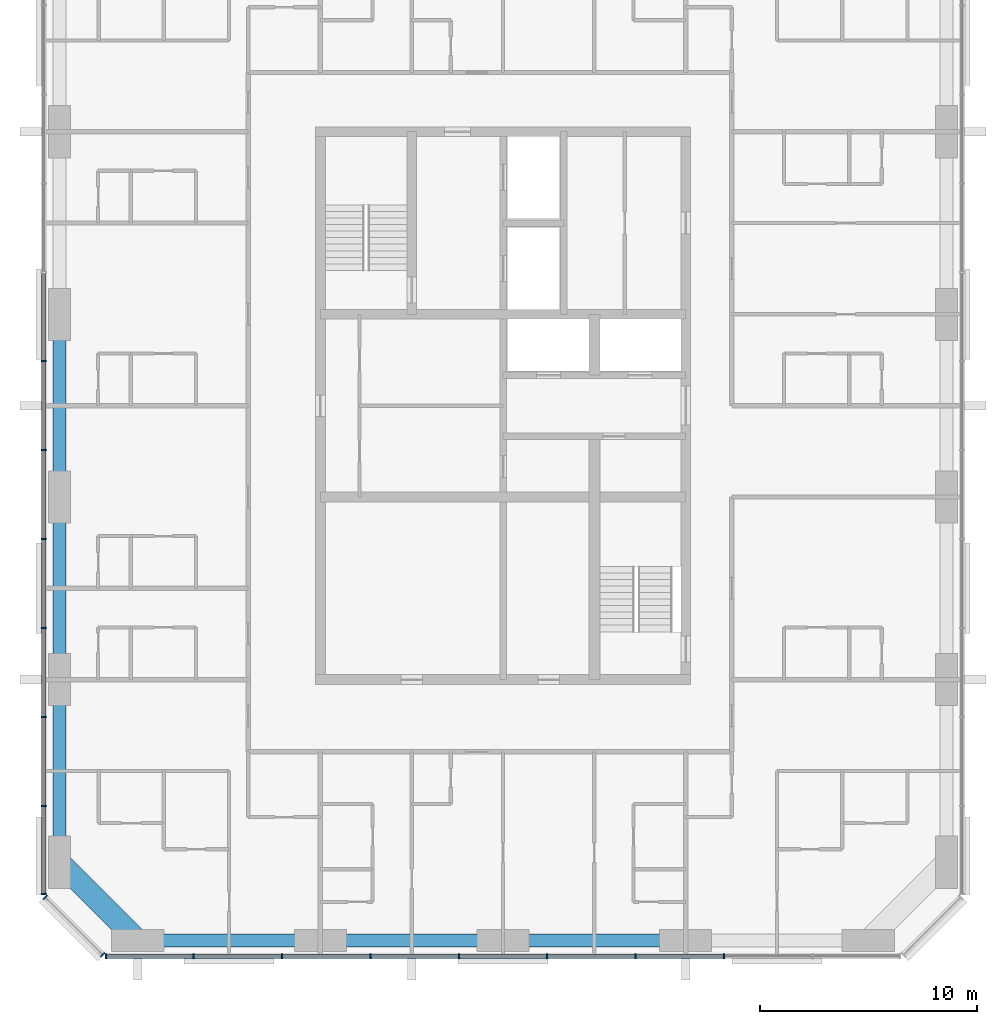
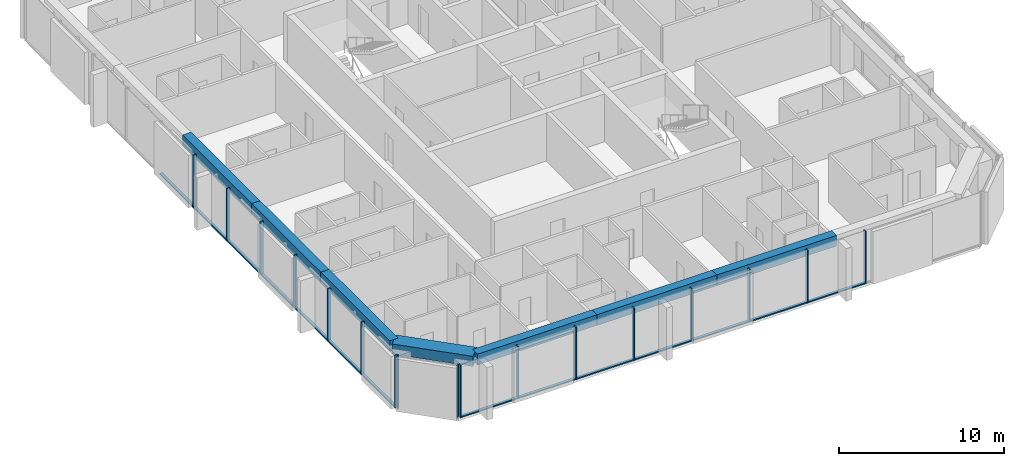
# One storey, part 2 of 13: 31 members, 7 beams, 3 elements without a shape of their own.
"""IFC4 building model written with IfcOpenShell, lengths in metres."""

from ifc_helpers import new_model, si_unit, direction, frame, origin, origin_2d, place, context, subcontext, project, spatial, rectangle, extrude, material, material_profile, profile_set, type_object, element, aggregate, save


model = new_model("IFC4")

# Units and contexts
model_context = context("Model", 3, precision=1e-05, world=origin(), true_north=direction((0.0, 1.0)))
body_context = subcontext(model_context, "Body", "Model", "MODEL_VIEW")
ifc_project = project(units=[si_unit("LENGTHUNIT", "METRE"), si_unit("AREAUNIT", "SQUARE_METRE"), si_unit("VOLUMEUNIT", "CUBIC_METRE"), si_unit("PLANEANGLEUNIT", "RADIAN"), si_unit("MASSUNIT", "GRAM", prefix="KILO")], contexts=[model_context])

# Site, building, storey
site_placement = place(None, origin())
site = spatial("IfcSite", under=ifc_project, at=site_placement, CompositionType="ELEMENT")
building_placement = place(site_placement, origin())
building = spatial("IfcBuilding", under=site, at=building_placement, Name="Dunama Terrace Hotel", CompositionType="ELEMENT")
storey_placement = place(building_placement, frame((0.0, 0.0, 276.300048828125)))
storey = spatial("IfcBuildingStorey", under=building, at=storey_placement, Name="L71", CompositionType="ELEMENT", Elevation=276.300048828125)

# Curtain wall, members
ifc_material_1 = material(Name="Aluminium curtain wall system", Category="aluminium")
curtain_wall_type = type_object("IfcCurtainWallType", Name="Unitised fritted glass wall CW-D", PredefinedType="NOTDEFINED", material=ifc_material_1)
curtain_wall_1_placement = place(storey_placement, origin())
curtain_wall_1 = element("IfcCurtainWall", 1, at=curtain_wall_1_placement, inside=storey, type_object=curtain_wall_type, Name="Unitised fritted glass wall CW-D L71", PredefinedType="NOTDEFINED")
ifc_material_2 = material(Name="Aluminium mullion", Category="aluminium")
ifc_material_profile_1 = material_profile(ifc_material_2, rectangle(XDim=0.070068359375, YDim=0.239990234375, at=origin_2d()), Name="CWD MULLION 70X240")
ifc_profile_set_1 = profile_set([ifc_material_profile_1], Name="Aluminium mullion")
member_type_1 = type_object("IfcMemberType", Name="CWD mullion 70x240", PredefinedType="MULLION", material=ifc_profile_set_1)
member_1_placement = place(storey_placement, frame((15.3349609375, 4.080078125, 0.0), z_axis=(0.0, 0.0, 1.0), x_axis=(1.0, 0.0, 0.0)))
member_1 = element("IfcMember", 2, at=member_1_placement, type_object=member_type_1, Name="CWD mullion", PredefinedType="MULLION", context=body_context, shape_type="SweptSolid", body=[
    extrude(rectangle(XDim=0.070068359375, YDim=0.239990234375, at=origin_2d()), origin(), (0.0, 0.0, 1.0), 3.89990234375),
])
member_2_placement = place(storey_placement, frame((19.366943359375, 4.080078125, 0.0), z_axis=(0.0, 0.0, 1.0), x_axis=(1.0, 0.0, 0.0)))
member_2 = element("IfcMember", 3, at=member_2_placement, type_object=member_type_1, Name="CWD mullion", PredefinedType="MULLION", context=body_context, shape_type="SweptSolid", body=[
    extrude(rectangle(XDim=0.070068359375, YDim=0.239990234375, at=origin_2d()), origin(), (0.0, 0.0, 1.0), 3.89990234375),
])
member_3_placement = place(storey_placement, frame((23.43310546875, 4.080078125, 0.0), z_axis=(0.0, 0.0, 1.0), x_axis=(1.0, 0.0, 0.0)))
member_3 = element("IfcMember", 4, at=member_3_placement, type_object=member_type_1, Name="CWD mullion", PredefinedType="MULLION", context=body_context, shape_type="SweptSolid", body=[
    extrude(rectangle(XDim=0.070068359375, YDim=0.239990234375, at=origin_2d()), origin(), (0.0, 0.0, 1.0), 3.89990234375),
])
member_4_placement = place(storey_placement, frame((27.5, 4.080078125, 0.0), z_axis=(0.0, 0.0, 1.0), x_axis=(1.0, 0.0, 0.0)))
member_4 = element("IfcMember", 5, at=member_4_placement, type_object=member_type_1, Name="CWD mullion", PredefinedType="MULLION", context=body_context, shape_type="SweptSolid", body=[
    extrude(rectangle(XDim=0.070068359375, YDim=0.239990234375, at=origin_2d()), origin(), (0.0, 0.0, 1.0), 3.89990234375),
])
member_5_placement = place(storey_placement, frame((31.56689453125, 4.080078125, 0.0), z_axis=(0.0, 0.0, 1.0), x_axis=(1.0, 0.0, 0.0)))
member_5 = element("IfcMember", 6, at=member_5_placement, type_object=member_type_1, Name="CWD mullion", PredefinedType="MULLION", context=body_context, shape_type="SweptSolid", body=[
    extrude(rectangle(XDim=0.070068359375, YDim=0.239990234375, at=origin_2d()), origin(), (0.0, 0.0, 1.0), 3.89990234375),
])
member_6_placement = place(storey_placement, frame((35.633056640625, 4.080078125, 0.0), z_axis=(0.0, 0.0, 1.0), x_axis=(1.0, 0.0, 0.0)))
member_6 = element("IfcMember", 7, at=member_6_placement, type_object=member_type_1, Name="CWD mullion", PredefinedType="MULLION", context=body_context, shape_type="SweptSolid", body=[
    extrude(rectangle(XDim=0.070068359375, YDim=0.239990234375, at=origin_2d()), origin(), (0.0, 0.0, 1.0), 3.89990234375),
])
member_7_placement = place(storey_placement, frame((39.699951171875, 4.080078125, 0.0), z_axis=(0.0, 0.0, 1.0), x_axis=(1.0, 0.0, 0.0)))
member_7 = element("IfcMember", 8, at=member_7_placement, type_object=member_type_1, Name="CWD mullion", PredefinedType="MULLION", context=body_context, shape_type="SweptSolid", body=[
    extrude(rectangle(XDim=0.070068359375, YDim=0.239990234375, at=origin_2d()), origin(), (0.0, 0.0, 1.0), 3.89990234375),
])
member_8_placement = place(storey_placement, frame((43.76708984375, 4.080078125, 0.0), z_axis=(0.0, 0.0, 1.0), x_axis=(1.0, 0.0, 0.0)))
member_8 = element("IfcMember", 9, at=member_8_placement, type_object=member_type_1, Name="CWD mullion", PredefinedType="MULLION", context=body_context, shape_type="SweptSolid", body=[
    extrude(rectangle(XDim=0.070068359375, YDim=0.239990234375, at=origin_2d()), origin(), (0.0, 0.0, 1.0), 3.89990234375),
])

curtain_wall_2_placement = place(storey_placement, origin())
curtain_wall_2 = element("IfcCurtainWall", 10, at=curtain_wall_2_placement, inside=storey, type_object=curtain_wall_type, Name="Unitised fritted glass wall CW-D L71", PredefinedType="NOTDEFINED")
member_9_placement = place(storey_placement, frame((12.47998046875, 31.445068359375, 0.0), z_axis=(0.0, 0.0, 1.0), x_axis=(0.0, -1.0, 0.0)))
member_9 = element("IfcMember", 11, at=member_9_placement, type_object=member_type_1, Name="CWD mullion", PredefinedType="MULLION", context=body_context, shape_type="SweptSolid", body=[
    extrude(rectangle(XDim=0.070068359375, YDim=0.239990234375, at=origin_2d()), origin(), (0.0, 0.0, 1.0), 3.89990234375),
])
member_10_placement = place(storey_placement, frame((12.47998046875, 27.35498046875, 0.0), z_axis=(0.0, 0.0, 1.0), x_axis=(0.0, -1.0, 0.0)))
member_10 = element("IfcMember", 12, at=member_10_placement, type_object=member_type_1, Name="CWD mullion", PredefinedType="MULLION", context=body_context, shape_type="SweptSolid", body=[
    extrude(rectangle(XDim=0.070068359375, YDim=0.239990234375, at=origin_2d()), origin(), (0.0, 0.0, 1.0), 3.89990234375),
])
member_11_placement = place(storey_placement, frame((12.47998046875, 23.263916015625, 0.0), z_axis=(0.0, 0.0, 1.0), x_axis=(0.0, -1.0, 0.0)))
member_11 = element("IfcMember", 13, at=member_11_placement, type_object=member_type_1, Name="CWD mullion", PredefinedType="MULLION", context=body_context, shape_type="SweptSolid", body=[
    extrude(rectangle(XDim=0.070068359375, YDim=0.239990234375, at=origin_2d()), origin(), (0.0, 0.0, 1.0), 3.89990234375),
])
member_12_placement = place(storey_placement, frame((12.47998046875, 19.173095703125, 0.0), z_axis=(0.0, 0.0, 1.0), x_axis=(0.0, -1.0, 0.0)))
member_12 = element("IfcMember", 14, at=member_12_placement, type_object=member_type_1, Name="CWD mullion", PredefinedType="MULLION", context=body_context, shape_type="SweptSolid", body=[
    extrude(rectangle(XDim=0.070068359375, YDim=0.239990234375, at=origin_2d()), origin(), (0.0, 0.0, 1.0), 3.89990234375),
])
member_13_placement = place(storey_placement, frame((12.47998046875, 15.08203125, 0.0), z_axis=(0.0, 0.0, 1.0), x_axis=(0.0, -1.0, 0.0)))
member_13 = element("IfcMember", 15, at=member_13_placement, type_object=member_type_1, Name="CWD mullion", PredefinedType="MULLION", context=body_context, shape_type="SweptSolid", body=[
    extrude(rectangle(XDim=0.070068359375, YDim=0.239990234375, at=origin_2d()), origin(), (0.0, 0.0, 1.0), 3.89990234375),
])
member_14_placement = place(storey_placement, frame((12.47998046875, 10.990966796875, 0.0), z_axis=(0.0, 0.0, 1.0), x_axis=(0.0, -1.0, 0.0)))
member_14 = element("IfcMember", 16, at=member_14_placement, type_object=member_type_1, Name="CWD mullion", PredefinedType="MULLION", context=body_context, shape_type="SweptSolid", body=[
    extrude(rectangle(XDim=0.070068359375, YDim=0.239990234375, at=origin_2d()), origin(), (0.0, 0.0, 1.0), 3.89990234375),
])
member_15_placement = place(storey_placement, frame((12.47998046875, 6.93505859375, 0.0), z_axis=(0.0, 0.0, 1.0), x_axis=(0.0, -1.0, 0.0)))
member_15 = element("IfcMember", 17, at=member_15_placement, type_object=member_type_1, Name="CWD mullion", PredefinedType="MULLION", context=body_context, shape_type="SweptSolid", body=[
    extrude(rectangle(XDim=0.070068359375, YDim=0.239990234375, at=origin_2d()), origin(), (0.0, 0.0, 1.0), 3.89990234375),
])

curtain_wall_3_placement = place(storey_placement, origin())
curtain_wall_3 = element("IfcCurtainWall", 18, at=curtain_wall_3_placement, inside=storey, type_object=curtain_wall_type, Name="Unitised fritted glass wall CW-D L71", PredefinedType="NOTDEFINED")
member_16_placement = place(storey_placement, frame((12.5400390625, 6.7900390625, 0.0), z_axis=(0.0, 0.0, 1.0), x_axis=(0.707106781187, -0.707106781187, 0.0)))
member_16 = element("IfcMember", 19, at=member_16_placement, type_object=member_type_1, Name="CWD mullion", PredefinedType="MULLION", context=body_context, shape_type="SweptSolid", body=[
    extrude(rectangle(XDim=0.070068359375, YDim=0.239990234375, at=origin_2d()), origin(), (0.0, 0.0, 1.0), 3.89990234375),
])
member_17_placement = place(storey_placement, frame((15.18994140625, 4.139892578125, 0.0), z_axis=(0.0, 0.0, 1.0), x_axis=(0.707106781187, -0.707106781187, 0.0)))
member_17 = element("IfcMember", 20, at=member_17_placement, type_object=member_type_1, Name="CWD mullion", PredefinedType="MULLION", context=body_context, shape_type="SweptSolid", body=[
    extrude(rectangle(XDim=0.070068359375, YDim=0.239990234375, at=origin_2d()), origin(), (0.0, 0.0, 1.0), 3.89990234375),
])
aggregate(curtain_wall_3, [member_16, member_17])

# Member
ifc_material_3 = material(Name="Aluminium transom", Category="aluminium")
ifc_material_profile_2 = material_profile(ifc_material_3, rectangle(XDim=0.199951171875, YDim=0.0849609375, at=origin_2d()), Name="CWD TRANSOM 200X85")
ifc_profile_set_2 = profile_set([ifc_material_profile_2], Name="Aluminium transom")
member_type_2 = type_object("IfcMemberType", Name="CWD transom 200x85", PredefinedType="USERDEFINED", material=ifc_profile_set_2)
member_18_placement = place(storey_placement, frame((15.3701171875, 4.080078125, 0.04248046875), z_axis=(1.0, 0.0, 0.0), x_axis=(0.0, 1.0, 0.0)))
member_18 = element("IfcMember", 21, at=member_18_placement, type_object=member_type_2, Name="CWD transom", ObjectType="TRANSOM", PredefinedType="USERDEFINED", context=body_context, shape_type="SweptSolid", body=[
    extrude(rectangle(XDim=0.199951171875, YDim=0.0849609375, at=origin_2d()), origin(), (0.0, 0.0, 1.0), 3.9619140625),
])

member_19_placement = place(storey_placement, frame((19.402099609375, 4.080078125, 0.04248046875), z_axis=(1.0, 0.0, 0.0), x_axis=(0.0, 1.0, 0.0)))
member_19 = element("IfcMember", 22, at=member_19_placement, type_object=member_type_2, Name="CWD transom", ObjectType="TRANSOM", PredefinedType="USERDEFINED", context=body_context, shape_type="SweptSolid", body=[
    extrude(rectangle(XDim=0.199951171875, YDim=0.0849609375, at=origin_2d()), origin(), (0.0, 0.0, 1.0), 3.995849609375),
])

member_20_placement = place(storey_placement, frame((23.468017578125, 4.080078125, 0.04248046875), z_axis=(1.0, 0.0, 0.0), x_axis=(0.0, 1.0, 0.0)))
member_20 = element("IfcMember", 23, at=member_20_placement, type_object=member_type_2, Name="CWD transom", ObjectType="TRANSOM", PredefinedType="USERDEFINED", context=body_context, shape_type="SweptSolid", body=[
    extrude(rectangle(XDim=0.199951171875, YDim=0.0849609375, at=origin_2d()), origin(), (0.0, 0.0, 1.0), 3.9970703125),
])

member_21_placement = place(storey_placement, frame((27.534912109375, 4.080078125, 0.04248046875), z_axis=(1.0, 0.0, 0.0), x_axis=(0.0, 1.0, 0.0)))
member_21 = element("IfcMember", 24, at=member_21_placement, type_object=member_type_2, Name="CWD transom", ObjectType="TRANSOM", PredefinedType="USERDEFINED", context=body_context, shape_type="SweptSolid", body=[
    extrude(rectangle(XDim=0.199951171875, YDim=0.0849609375, at=origin_2d()), origin(), (0.0, 0.0, 1.0), 3.9970703125),
])

member_22_placement = place(storey_placement, frame((31.60205078125, 4.080078125, 0.04248046875), z_axis=(1.0, 0.0, 0.0), x_axis=(0.0, 1.0, 0.0)))
member_22 = element("IfcMember", 25, at=member_22_placement, type_object=member_type_2, Name="CWD transom", ObjectType="TRANSOM", PredefinedType="USERDEFINED", context=body_context, shape_type="SweptSolid", body=[
    extrude(rectangle(XDim=0.199951171875, YDim=0.0849609375, at=origin_2d()), origin(), (0.0, 0.0, 1.0), 3.995849609375),
])

member_23_placement = place(storey_placement, frame((35.66796875, 4.080078125, 0.04248046875), z_axis=(1.0, 0.0, 0.0), x_axis=(0.0, 1.0, 0.0)))
member_23 = element("IfcMember", 26, at=member_23_placement, type_object=member_type_2, Name="CWD transom", ObjectType="TRANSOM", PredefinedType="USERDEFINED", context=body_context, shape_type="SweptSolid", body=[
    extrude(rectangle(XDim=0.199951171875, YDim=0.0849609375, at=origin_2d()), origin(), (0.0, 0.0, 1.0), 3.9970703125),
])

member_24_placement = place(storey_placement, frame((39.735107421875, 4.080078125, 0.04248046875), z_axis=(1.0, 0.0, 0.0), x_axis=(0.0, 1.0, 0.0)))
member_24 = element("IfcMember", 27, at=member_24_placement, type_object=member_type_2, Name="CWD transom", ObjectType="TRANSOM", PredefinedType="USERDEFINED", context=body_context, shape_type="SweptSolid", body=[
    extrude(rectangle(XDim=0.199951171875, YDim=0.0849609375, at=origin_2d()), origin(), (0.0, 0.0, 1.0), 3.996826171875),
])

aggregate(curtain_wall_1, [member_1, member_2, member_3, member_4, member_5, member_6, member_7, member_8, member_18, member_19, member_20, member_21, member_22, member_23, member_24])

member_25_placement = place(storey_placement, frame((12.47998046875, 35.5009765625, 0.04248046875), z_axis=(0.0, -1.0, 0.0), x_axis=(1.0, 0.0, 0.0)))
member_25 = element("IfcMember", 28, at=member_25_placement, type_object=member_type_2, Name="CWD transom", ObjectType="TRANSOM", PredefinedType="USERDEFINED", context=body_context, shape_type="SweptSolid", body=[
    extrude(rectangle(XDim=0.199951171875, YDim=0.0849609375, at=origin_2d()), origin(), (0.0, 0.0, 1.0), 4.02099609375),
])

member_26_placement = place(storey_placement, frame((12.47998046875, 31.409912109375, 0.04248046875), z_axis=(0.0, -1.0, 0.0), x_axis=(1.0, 0.0, 0.0)))
member_26 = element("IfcMember", 29, at=member_26_placement, type_object=member_type_2, Name="CWD transom", ObjectType="TRANSOM", PredefinedType="USERDEFINED", context=body_context, shape_type="SweptSolid", body=[
    extrude(rectangle(XDim=0.199951171875, YDim=0.0849609375, at=origin_2d()), origin(), (0.0, 0.0, 1.0), 4.02001953125),
])

member_27_placement = place(storey_placement, frame((12.47998046875, 27.320068359375, 0.04248046875), z_axis=(0.0, -1.0, 0.0), x_axis=(1.0, 0.0, 0.0)))
member_27 = element("IfcMember", 30, at=member_27_placement, type_object=member_type_2, Name="CWD transom", ObjectType="TRANSOM", PredefinedType="USERDEFINED", context=body_context, shape_type="SweptSolid", body=[
    extrude(rectangle(XDim=0.199951171875, YDim=0.0849609375, at=origin_2d()), origin(), (0.0, 0.0, 1.0), 4.02099609375),
])

member_28_placement = place(storey_placement, frame((12.47998046875, 23.22900390625, 0.04248046875), z_axis=(0.0, -1.0, 0.0), x_axis=(1.0, 0.0, 0.0)))
member_28 = element("IfcMember", 31, at=member_28_placement, type_object=member_type_2, Name="CWD transom", ObjectType="TRANSOM", PredefinedType="USERDEFINED", context=body_context, shape_type="SweptSolid", body=[
    extrude(rectangle(XDim=0.199951171875, YDim=0.0849609375, at=origin_2d()), origin(), (0.0, 0.0, 1.0), 4.02099609375),
])

member_29_placement = place(storey_placement, frame((12.47998046875, 19.137939453125, 0.04248046875), z_axis=(0.0, -1.0, 0.0), x_axis=(1.0, 0.0, 0.0)))
member_29 = element("IfcMember", 32, at=member_29_placement, type_object=member_type_2, Name="CWD transom", ObjectType="TRANSOM", PredefinedType="USERDEFINED", context=body_context, shape_type="SweptSolid", body=[
    extrude(rectangle(XDim=0.199951171875, YDim=0.0849609375, at=origin_2d()), origin(), (0.0, 0.0, 1.0), 4.02099609375),
])

member_30_placement = place(storey_placement, frame((12.47998046875, 15.047119140625, 0.04248046875), z_axis=(0.0, -1.0, 0.0), x_axis=(1.0, 0.0, 0.0)))
member_30 = element("IfcMember", 33, at=member_30_placement, type_object=member_type_2, Name="CWD transom", ObjectType="TRANSOM", PredefinedType="USERDEFINED", context=body_context, shape_type="SweptSolid", body=[
    extrude(rectangle(XDim=0.199951171875, YDim=0.0849609375, at=origin_2d()), origin(), (0.0, 0.0, 1.0), 4.021240234375),
])

member_31_placement = place(storey_placement, frame((12.47998046875, 10.9560546875, 0.04248046875), z_axis=(0.0, -1.0, 0.0), x_axis=(1.0, 0.0, 0.0)))
member_31 = element("IfcMember", 34, at=member_31_placement, type_object=member_type_2, Name="CWD transom", ObjectType="TRANSOM", PredefinedType="USERDEFINED", context=body_context, shape_type="SweptSolid", body=[
    extrude(rectangle(XDim=0.199951171875, YDim=0.0849609375, at=origin_2d()), origin(), (0.0, 0.0, 1.0), 3.986083984375),
])

aggregate(curtain_wall_2, [member_9, member_10, member_11, member_12, member_13, member_14, member_15, member_25, member_26, member_27, member_28, member_29, member_30, member_31])

# Beams
ifc_material_4 = material(Name="Concrete C50/60", Category="concrete")
ifc_material_profile_3 = material_profile(ifc_material_4, rectangle(XDim=1.0, YDim=0.75, at=origin_2d()), Name="RC 1000x750")
ifc_profile_set_3 = profile_set([ifc_material_profile_3], Name="Concrete C50/60")
beam_type_1 = type_object("IfcBeamType", Name="Edge beam RC 1000x750", PredefinedType="SPANDREL", material=ifc_profile_set_3)
beam_1_placement = place(storey_placement, frame((16.800048828125, 4.800048828125, 3.52490234375), z_axis=(-0.707130757816, 0.707082803744, 0.0), x_axis=(-0.707082803744, -0.707130757816, 0.0)))
element("IfcBeam", 35, at=beam_1_placement, inside=storey, type_object=beam_type_1, Name="Corner edge beam under L72", PredefinedType="SPANDREL", context=body_context, shape_type="SweptSolid", body=[
    extrude(rectangle(XDim=1.0, YDim=0.75, at=origin_2d()), origin(), (0.0, 0.0, 1.0), 5.091064453125),
])
ifc_material_5 = material(Name="Concrete C40/50", Category="concrete")
ifc_material_profile_4 = material_profile(ifc_material_5, rectangle(XDim=0.60009765625, YDim=0.800048828125, at=origin_2d()), Name="RC 600x800")
ifc_profile_set_4 = profile_set([ifc_material_profile_4], Name="Concrete C40/50")
beam_type_2 = type_object("IfcBeamType", Name="Edge beam RC 600x800", PredefinedType="SPANDREL", material=ifc_profile_set_4)
beam_2_placement = place(storey_placement, frame((13.199951171875, 8.39990234375, 3.5), z_axis=(0.0, 1.0, 0.0), x_axis=(-1.0, 0.0, 0.0)))
element("IfcBeam", 36, at=beam_2_placement, inside=storey, type_object=beam_type_2, Name="Edge beam under L72", PredefinedType="SPANDREL", context=body_context, shape_type="SweptSolid", body=[
    extrude(rectangle(XDim=0.60009765625, YDim=0.800048828125, at=origin_2d()), origin(), (0.0, 0.0, 1.0), 8.400146484375),
])
beam_3_placement = place(storey_placement, frame((13.199951171875, 16.800048828125, 3.5), z_axis=(0.0, 1.0, 0.0), x_axis=(-1.0, 0.0, 0.0)))
element("IfcBeam", 37, at=beam_3_placement, inside=storey, type_object=beam_type_2, Name="Edge beam under L72", PredefinedType="SPANDREL", context=body_context, shape_type="SweptSolid", body=[
    extrude(rectangle(XDim=0.60009765625, YDim=0.800048828125, at=origin_2d()), origin(), (0.0, 0.0, 1.0), 8.39990234375),
])
beam_4_placement = place(storey_placement, frame((13.199951171875, 25.199951171875, 3.5), z_axis=(0.0, 1.0, 0.0), x_axis=(-1.0, 0.0, 0.0)))
element("IfcBeam", 38, at=beam_4_placement, inside=storey, type_object=beam_type_2, Name="Edge beam under L72", PredefinedType="SPANDREL", context=body_context, shape_type="SweptSolid", body=[
    extrude(rectangle(XDim=0.60009765625, YDim=0.800048828125, at=origin_2d()), origin(), (0.0, 0.0, 1.0), 8.400146484375),
])
beam_5_placement = place(storey_placement, frame((16.800048828125, 4.800048828125, 3.5), z_axis=(1.0, 0.0, 0.0), x_axis=(0.0, 1.0, 0.0)))
element("IfcBeam", 39, at=beam_5_placement, inside=storey, type_object=beam_type_2, Name="Edge beam under L72", PredefinedType="SPANDREL", context=body_context, shape_type="SweptSolid", body=[
    extrude(rectangle(XDim=0.60009765625, YDim=0.800048828125, at=origin_2d()), origin(), (0.0, 0.0, 1.0), 8.39990234375),
])
beam_6_placement = place(storey_placement, frame((25.199951171875, 4.800048828125, 3.5), z_axis=(1.0, 0.0, 0.0), x_axis=(0.0, 1.0, 0.0)))
element("IfcBeam", 40, at=beam_6_placement, inside=storey, type_object=beam_type_2, Name="Edge beam under L72", PredefinedType="SPANDREL", context=body_context, shape_type="SweptSolid", body=[
    extrude(rectangle(XDim=0.60009765625, YDim=0.800048828125, at=origin_2d()), origin(), (0.0, 0.0, 1.0), 8.400146484375),
])
beam_7_placement = place(storey_placement, frame((33.60009765625, 4.800048828125, 3.5), z_axis=(1.0, 0.0, 0.0), x_axis=(0.0, 1.0, 0.0)))
element("IfcBeam", 41, at=beam_7_placement, inside=storey, type_object=beam_type_2, Name="Edge beam under L72", PredefinedType="SPANDREL", context=body_context, shape_type="SweptSolid", body=[
    extrude(rectangle(XDim=0.60009765625, YDim=0.800048828125, at=origin_2d()), origin(), (0.0, 0.0, 1.0), 8.39990234375),
])

save(model, "model.ifc")
